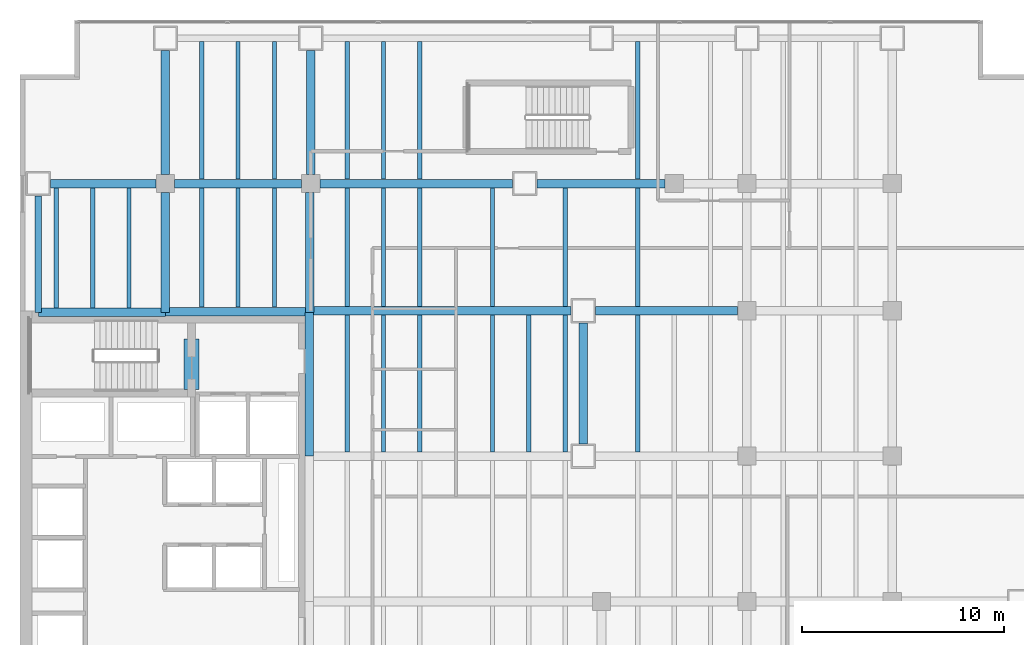
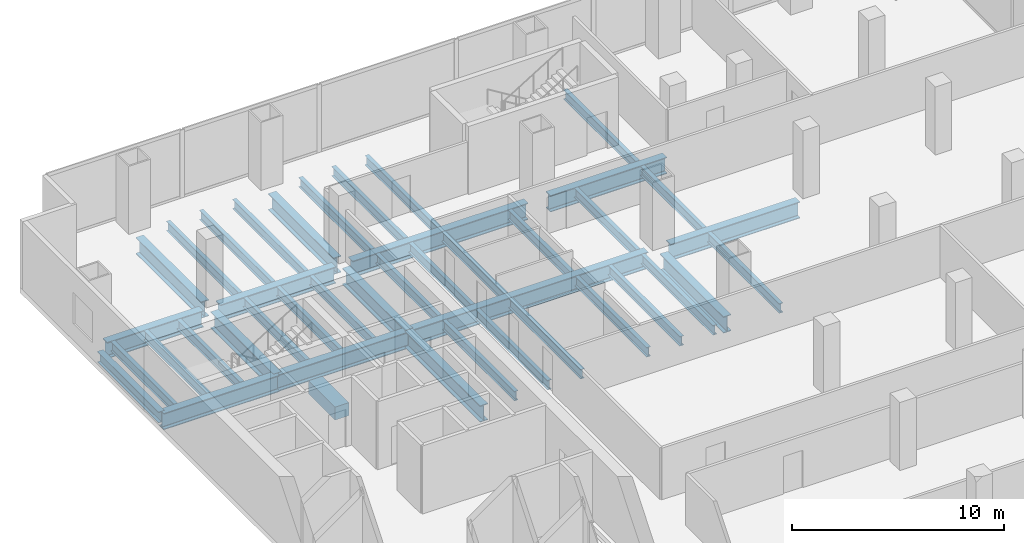
# One storey, part 10 of 29: 42 beams.
"""IFC4 building model written with IfcOpenShell, lengths in metres."""

from ifc_helpers import new_model, si_unit, direction, frame, origin, origin_2d, place, context, subcontext, project, spatial, rectangle, i_section, extrude, material, material_profile, profile_set, type_object, element, save


model = new_model("IFC4")

# Units and contexts
model_context = context("Model", 3, precision=1e-05, world=origin(), true_north=direction((0.0, 1.0)))
body_context = subcontext(model_context, "Body", "Model", "MODEL_VIEW")
ifc_project = project(units=[si_unit("LENGTHUNIT", "METRE"), si_unit("AREAUNIT", "SQUARE_METRE"), si_unit("VOLUMEUNIT", "CUBIC_METRE"), si_unit("PLANEANGLEUNIT", "RADIAN"), si_unit("MASSUNIT", "GRAM", prefix="KILO")], contexts=[model_context])

# Site, building, storey
site_placement = place(None, origin())
site = spatial("IfcSite", under=ifc_project, at=site_placement, CompositionType="ELEMENT")
building_placement = place(site_placement, origin())
building = spatial("IfcBuilding", under=site, at=building_placement, Name="Cobrela Telecom Tower", CompositionType="ELEMENT")
storey_placement = place(building_placement, frame((0.0, 0.0, 13.64990234375)))
storey = spatial("IfcBuildingStorey", under=building, at=storey_placement, Name="L03", CompositionType="ELEMENT", Elevation=13.64990234375)

# Beams
ifc_material_1 = material(Name="Concrete C40/50", Category="concrete")
ifc_material_profile_1 = material_profile(ifc_material_1, rectangle(XDim=0.75, YDim=0.75, at=origin_2d()), Name="RC 750x750")
ifc_profile_set_1 = profile_set([ifc_material_profile_1], Name="Concrete C40/50")
beam_type_1 = type_object("IfcBeamType", Name="BM-COUP-RC", PredefinedType="LINTEL", material=ifc_profile_set_1)
beam_1_placement = place(storey_placement, frame((8.5, 32.10009765625, -0.64990234375), z_axis=(0.0, 1.0, 0.0), x_axis=(-1.0, 0.0, 0.0)))
element("IfcBeam", 1, at=beam_1_placement, inside=storey, type_object=beam_type_1, Name="L03 Core Coupling Lintel Beam", PredefinedType="LINTEL", context=body_context, shape_type="SweptSolid", body=[
    extrude(rectangle(XDim=0.75, YDim=0.75, at=origin_2d()), origin(), (0.0, 0.0, 1.0), 2.5),
])
ifc_material_2 = material(Name="Steel ASTM A992 Grade 50", Category="steel")
ifc_material_profile_2 = material_profile(ifc_material_2, i_section(OverallWidth=0.424072265625, OverallDepth=0.947021484375, WebThickness=0.02392578125, FlangeThickness=0.042724609375, FilletRadius=0.02392578125, at=origin_2d()), Name="W36X302")
ifc_profile_set_2 = profile_set([ifc_material_profile_2], Name="Steel ASTM A992 Grade 50")
beam_type_2 = type_object("IfcBeamType", Name="BM-GIRD-01", PredefinedType="USERDEFINED", material=ifc_profile_set_2)
beam_2_placement = place(storey_placement, frame((0.905029296875, 35.919921875, -0.7734375), z_axis=(1.0, 0.0, 0.0), x_axis=(0.0, 1.0, 0.0)))
element("IfcBeam", 2, at=beam_2_placement, inside=storey, type_object=beam_type_2, Name="L03 Primary Girder X41", ObjectType="GIRDER", PredefinedType="USERDEFINED", context=body_context, shape_type="SweptSolid", body=[
    extrude(i_section(OverallWidth=0.424072265625, OverallDepth=0.947021484375, WebThickness=0.02392578125, FlangeThickness=0.042724609375, FilletRadius=0.02392578125, at=origin_2d()), origin(), (0.0, 0.0, 1.0), 6.2900390625),
])
beam_3_placement = place(storey_placement, frame((7.205078125, 35.9599609375, -0.7734375), z_axis=(1.0, 0.0, 0.0), x_axis=(0.0, 1.0, 0.0)))
element("IfcBeam", 3, at=beam_3_placement, inside=storey, type_object=beam_type_2, Name="L03 Primary Girder X42", ObjectType="GIRDER", PredefinedType="USERDEFINED", context=body_context, shape_type="SweptSolid", body=[
    extrude(i_section(OverallWidth=0.424072265625, OverallDepth=0.947021484375, WebThickness=0.02392578125, FlangeThickness=0.042724609375, FilletRadius=0.02392578125, at=origin_2d()), origin(), (0.0, 0.0, 1.0), 7.10986328125),
])
beam_4_placement = place(storey_placement, frame((14.324951171875, 36.0, -0.7734375), z_axis=(1.0, 0.0, 0.0), x_axis=(0.0, 1.0, 0.0)))
element("IfcBeam", 4, at=beam_4_placement, inside=storey, type_object=beam_type_2, Name="L03 Primary Girder X43", ObjectType="GIRDER", PredefinedType="USERDEFINED", context=body_context, shape_type="SweptSolid", body=[
    extrude(i_section(OverallWidth=0.424072265625, OverallDepth=0.947021484375, WebThickness=0.02392578125, FlangeThickness=0.042724609375, FilletRadius=0.02392578125, at=origin_2d()), origin(), (0.0, 0.0, 1.0), 12.969970703125),
])
beam_5_placement = place(storey_placement, frame((28.5048828125, 36.0, -0.7734375), z_axis=(1.0, 0.0, 0.0), x_axis=(0.0, 1.0, 0.0)))
element("IfcBeam", 5, at=beam_5_placement, inside=storey, type_object=beam_type_2, Name="L03 Primary Girder X44", ObjectType="GIRDER", PredefinedType="USERDEFINED", context=body_context, shape_type="SweptSolid", body=[
    extrude(i_section(OverallWidth=0.424072265625, OverallDepth=0.947021484375, WebThickness=0.02392578125, FlangeThickness=0.042724609375, FilletRadius=0.02392578125, at=origin_2d()), origin(), (0.0, 0.0, 1.0), 7.0400390625),
])
beam_6_placement = place(storey_placement, frame((1.5048828125, 42.300048828125, -0.7734375), z_axis=(1.0, 0.0, 0.0), x_axis=(0.0, 1.0, 0.0)))
element("IfcBeam", 6, at=beam_6_placement, inside=storey, type_object=beam_type_2, Name="L03 Primary Girder X46", ObjectType="GIRDER", PredefinedType="USERDEFINED", context=body_context, shape_type="SweptSolid", body=[
    extrude(i_section(OverallWidth=0.424072265625, OverallDepth=0.947021484375, WebThickness=0.02392578125, FlangeThickness=0.042724609375, FilletRadius=0.02392578125, at=origin_2d()), origin(), (0.0, 0.0, 1.0), 5.240234375),
])
beam_7_placement = place(storey_placement, frame((7.655029296875, 42.300048828125, -0.7734375), z_axis=(1.0, 0.0, 0.0), x_axis=(0.0, 1.0, 0.0)))
element("IfcBeam", 7, at=beam_7_placement, inside=storey, type_object=beam_type_2, Name="L03 Primary Girder X47", ObjectType="GIRDER", PredefinedType="USERDEFINED", context=body_context, shape_type="SweptSolid", body=[
    extrude(i_section(OverallWidth=0.424072265625, OverallDepth=0.947021484375, WebThickness=0.02392578125, FlangeThickness=0.042724609375, FilletRadius=0.02392578125, at=origin_2d()), origin(), (0.0, 0.0, 1.0), 6.2900390625),
])
beam_8_placement = place(storey_placement, frame((14.85498046875, 42.300048828125, -0.7734375), z_axis=(1.0, 0.0, 0.0), x_axis=(0.0, 1.0, 0.0)))
element("IfcBeam", 8, at=beam_8_placement, inside=storey, type_object=beam_type_2, Name="L03 Primary Girder X48", ObjectType="GIRDER", PredefinedType="USERDEFINED", context=body_context, shape_type="SweptSolid", body=[
    extrude(i_section(OverallWidth=0.424072265625, OverallDepth=0.947021484375, WebThickness=0.02392578125, FlangeThickness=0.042724609375, FilletRadius=0.02392578125, at=origin_2d()), origin(), (0.0, 0.0, 1.0), 9.5400390625),
])
beam_9_placement = place(storey_placement, frame((25.60498046875, 42.300048828125, -0.7734375), z_axis=(1.0, 0.0, 0.0), x_axis=(0.0, 1.0, 0.0)))
element("IfcBeam", 9, at=beam_9_placement, inside=storey, type_object=beam_type_2, Name="L03 Primary Girder X49", ObjectType="GIRDER", PredefinedType="USERDEFINED", context=body_context, shape_type="SweptSolid", body=[
    extrude(i_section(OverallWidth=0.424072265625, OverallDepth=0.947021484375, WebThickness=0.02392578125, FlangeThickness=0.042724609375, FilletRadius=0.02392578125, at=origin_2d()), origin(), (0.0, 0.0, 1.0), 6.340087890625),
])
beam_10_placement = place(storey_placement, frame((7.199951171875, 35.925048828125, -0.7734375), z_axis=(0.0, 1.0, 0.0), x_axis=(-1.0, 0.0, 0.0)))
element("IfcBeam", 10, at=beam_10_placement, inside=storey, type_object=beam_type_2, Name="L03 Primary Girder Y58", ObjectType="GIRDER", PredefinedType="USERDEFINED", context=body_context, shape_type="SweptSolid", body=[
    extrude(i_section(OverallWidth=0.424072265625, OverallDepth=0.947021484375, WebThickness=0.02392578125, FlangeThickness=0.042724609375, FilletRadius=0.02392578125, at=origin_2d()), origin(), (0.0, 0.0, 1.0), 5.919921875),
])
beam_11_placement = place(storey_placement, frame((7.199951171875, 42.7548828125, -0.7734375), z_axis=(0.0, 1.0, 0.0), x_axis=(-1.0, 0.0, 0.0)))
element("IfcBeam", 11, at=beam_11_placement, inside=storey, type_object=beam_type_2, Name="L03 Primary Girder Y59", ObjectType="GIRDER", PredefinedType="USERDEFINED", context=body_context, shape_type="SweptSolid", body=[
    extrude(i_section(OverallWidth=0.424072265625, OverallDepth=0.947021484375, WebThickness=0.02392578125, FlangeThickness=0.042724609375, FilletRadius=0.02392578125, at=origin_2d()), origin(), (0.0, 0.0, 1.0), 6.14013671875),
])
beam_12_placement = place(storey_placement, frame((14.320068359375, 28.804931640625, -0.7734375), z_axis=(0.0, 1.0, 0.0), x_axis=(-1.0, 0.0, 0.0)))
element("IfcBeam", 12, at=beam_12_placement, inside=storey, type_object=beam_type_2, Name="L03 Primary Girder Y64", ObjectType="GIRDER", PredefinedType="USERDEFINED", context=body_context, shape_type="SweptSolid", body=[
    extrude(i_section(OverallWidth=0.424072265625, OverallDepth=0.947021484375, WebThickness=0.02392578125, FlangeThickness=0.042724609375, FilletRadius=0.02392578125, at=origin_2d()), origin(), (0.0, 0.0, 1.0), 7.110107421875),
])
beam_13_placement = place(storey_placement, frame((14.360107421875, 35.925048828125, -0.7734375), z_axis=(0.0, 1.0, 0.0), x_axis=(-1.0, 0.0, 0.0)))
element("IfcBeam", 13, at=beam_13_placement, inside=storey, type_object=beam_type_2, Name="L03 Primary Girder Y65", ObjectType="GIRDER", PredefinedType="USERDEFINED", context=body_context, shape_type="SweptSolid", body=[
    extrude(i_section(OverallWidth=0.424072265625, OverallDepth=0.947021484375, WebThickness=0.02392578125, FlangeThickness=0.042724609375, FilletRadius=0.02392578125, at=origin_2d()), origin(), (0.0, 0.0, 1.0), 5.919921875),
])
beam_14_placement = place(storey_placement, frame((14.39990234375, 42.7548828125, -0.7734375), z_axis=(0.0, 1.0, 0.0), x_axis=(-1.0, 0.0, 0.0)))
element("IfcBeam", 14, at=beam_14_placement, inside=storey, type_object=beam_type_2, Name="L03 Primary Girder Y66", ObjectType="GIRDER", PredefinedType="USERDEFINED", context=body_context, shape_type="SweptSolid", body=[
    extrude(i_section(OverallWidth=0.424072265625, OverallDepth=0.947021484375, WebThickness=0.02392578125, FlangeThickness=0.042724609375, FilletRadius=0.02392578125, at=origin_2d()), origin(), (0.0, 0.0, 1.0), 6.14013671875),
])
beam_15_placement = place(storey_placement, frame((27.89990234375, 29.405029296875, -0.7734375), z_axis=(0.0, 1.0, 0.0), x_axis=(-1.0, 0.0, 0.0)))
element("IfcBeam", 15, at=beam_15_placement, inside=storey, type_object=beam_type_2, Name="L03 Primary Girder Y67", ObjectType="GIRDER", PredefinedType="USERDEFINED", context=body_context, shape_type="SweptSolid", body=[
    extrude(i_section(OverallWidth=0.424072265625, OverallDepth=0.947021484375, WebThickness=0.02392578125, FlangeThickness=0.042724609375, FilletRadius=0.02392578125, at=origin_2d()), origin(), (0.0, 0.0, 1.0), 5.989990234375),
])
ifc_material_profile_3 = material_profile(ifc_material_2, i_section(OverallWidth=0.212890625, OverallDepth=0.549072265625, WebThickness=0.0146484375, FlangeThickness=0.023681640625, FilletRadius=0.013916015625, at=origin_2d()), Name="W21X93")
ifc_profile_set_3 = profile_set([ifc_material_profile_3], Name="Steel ASTM A992 Grade 50")
beam_type_3 = type_object("IfcBeamType", Name="BM-JOIST-01", PredefinedType="JOIST", material=ifc_profile_set_3)
for number, where, z_axis, x_axis, name in (
    (16, (1.800048828125, 36.136962890625, -0.574462890625), (0.0, 1.0, 0.0), (-1.0, 0.0, 0.0), "L03 Secondary Composite Floor Beam J01"),
    (17, (3.60009765625, 36.136962890625, -0.574462890625), (0.0, 1.0, 0.0), (-1.0, 0.0, 0.0), "L03 Secondary Composite Floor Beam J02"),
    (18, (5.39990234375, 36.136962890625, -0.574462890625), (0.0, 1.0, 0.0), (-1.0, 0.0, 0.0), "L03 Secondary Composite Floor Beam J03"),
):
    element("IfcBeam", number, at=place(storey_placement, frame(where, z_axis=z_axis, x_axis=x_axis)), inside=storey, type_object=beam_type_3, Name=name, PredefinedType="JOIST", context=body_context, shape_type="SweptSolid", body=[
        extrude(i_section(OverallWidth=0.212890625, OverallDepth=0.549072265625, WebThickness=0.0146484375, FlangeThickness=0.023681640625, FilletRadius=0.013916015625, at=origin_2d()), origin(), (0.0, 0.0, 1.0), 5.946044921875),
    ])
beam_16_placement = place(storey_placement, frame((9.0, 36.177001953125, -0.574462890625), z_axis=(0.0, 1.0, 0.0), x_axis=(-1.0, 0.0, 0.0)))
element("IfcBeam", 19, at=beam_16_placement, inside=storey, type_object=beam_type_3, Name="L03 Secondary Composite Floor Beam J05", PredefinedType="JOIST", context=body_context, shape_type="SweptSolid", body=[
    extrude(i_section(OverallWidth=0.212890625, OverallDepth=0.549072265625, WebThickness=0.0146484375, FlangeThickness=0.023681640625, FilletRadius=0.013916015625, at=origin_2d()), origin(), (0.0, 0.0, 1.0), 5.906005859375),
])
beam_17_placement = place(storey_placement, frame((9.0, 42.51708984375, -0.574462890625), z_axis=(0.0, 1.0, 0.0), x_axis=(-1.0, 0.0, 0.0)))
element("IfcBeam", 20, at=beam_17_placement, inside=storey, type_object=beam_type_3, Name="L03 Secondary Composite Floor Beam J06", PredefinedType="JOIST", context=body_context, shape_type="SweptSolid", body=[
    extrude(i_section(OverallWidth=0.212890625, OverallDepth=0.549072265625, WebThickness=0.0146484375, FlangeThickness=0.023681640625, FilletRadius=0.013916015625, at=origin_2d()), origin(), (0.0, 0.0, 1.0), 6.81396484375),
])
beam_18_placement = place(storey_placement, frame((10.800048828125, 36.177001953125, -0.574462890625), z_axis=(0.0, 1.0, 0.0), x_axis=(-1.0, 0.0, 0.0)))
element("IfcBeam", 21, at=beam_18_placement, inside=storey, type_object=beam_type_3, Name="L03 Secondary Composite Floor Beam J08", PredefinedType="JOIST", context=body_context, shape_type="SweptSolid", body=[
    extrude(i_section(OverallWidth=0.212890625, OverallDepth=0.549072265625, WebThickness=0.0146484375, FlangeThickness=0.023681640625, FilletRadius=0.013916015625, at=origin_2d()), origin(), (0.0, 0.0, 1.0), 5.906005859375),
])
beam_19_placement = place(storey_placement, frame((10.800048828125, 42.51708984375, -0.574462890625), z_axis=(0.0, 1.0, 0.0), x_axis=(-1.0, 0.0, 0.0)))
element("IfcBeam", 22, at=beam_19_placement, inside=storey, type_object=beam_type_3, Name="L03 Secondary Composite Floor Beam J09", PredefinedType="JOIST", context=body_context, shape_type="SweptSolid", body=[
    extrude(i_section(OverallWidth=0.212890625, OverallDepth=0.549072265625, WebThickness=0.0146484375, FlangeThickness=0.023681640625, FilletRadius=0.013916015625, at=origin_2d()), origin(), (0.0, 0.0, 1.0), 6.81396484375),
])
beam_20_placement = place(storey_placement, frame((12.60009765625, 36.177001953125, -0.574462890625), z_axis=(0.0, 1.0, 0.0), x_axis=(-1.0, 0.0, 0.0)))
element("IfcBeam", 23, at=beam_20_placement, inside=storey, type_object=beam_type_3, Name="L03 Secondary Composite Floor Beam J11", PredefinedType="JOIST", context=body_context, shape_type="SweptSolid", body=[
    extrude(i_section(OverallWidth=0.212890625, OverallDepth=0.549072265625, WebThickness=0.0146484375, FlangeThickness=0.023681640625, FilletRadius=0.013916015625, at=origin_2d()), origin(), (0.0, 0.0, 1.0), 5.906005859375),
])
beam_21_placement = place(storey_placement, frame((12.60009765625, 42.51708984375, -0.574462890625), z_axis=(0.0, 1.0, 0.0), x_axis=(-1.0, 0.0, 0.0)))
element("IfcBeam", 24, at=beam_21_placement, inside=storey, type_object=beam_type_3, Name="L03 Secondary Composite Floor Beam J12", PredefinedType="JOIST", context=body_context, shape_type="SweptSolid", body=[
    extrude(i_section(OverallWidth=0.212890625, OverallDepth=0.549072265625, WebThickness=0.0146484375, FlangeThickness=0.023681640625, FilletRadius=0.013916015625, at=origin_2d()), origin(), (0.0, 0.0, 1.0), 6.81396484375),
])
beam_22_placement = place(storey_placement, frame((16.199951171875, 29.01708984375, -0.574462890625), z_axis=(0.0, 1.0, 0.0), x_axis=(-1.0, 0.0, 0.0)))
element("IfcBeam", 25, at=beam_22_placement, inside=storey, type_object=beam_type_3, Name="L03 Secondary Composite Floor Beam J17", PredefinedType="JOIST", context=body_context, shape_type="SweptSolid", body=[
    extrude(i_section(OverallWidth=0.212890625, OverallDepth=0.549072265625, WebThickness=0.0146484375, FlangeThickness=0.023681640625, FilletRadius=0.013916015625, at=origin_2d()), origin(), (0.0, 0.0, 1.0), 6.765869140625),
])
beam_23_placement = place(storey_placement, frame((16.199951171875, 36.217041015625, -0.574462890625), z_axis=(0.0, 1.0, 0.0), x_axis=(-1.0, 0.0, 0.0)))
element("IfcBeam", 26, at=beam_23_placement, inside=storey, type_object=beam_type_3, Name="L03 Secondary Composite Floor Beam J18", PredefinedType="JOIST", context=body_context, shape_type="SweptSolid", body=[
    extrude(i_section(OverallWidth=0.212890625, OverallDepth=0.549072265625, WebThickness=0.0146484375, FlangeThickness=0.023681640625, FilletRadius=0.013916015625, at=origin_2d()), origin(), (0.0, 0.0, 1.0), 5.865966796875),
])
beam_24_placement = place(storey_placement, frame((16.199951171875, 42.51708984375, -0.574462890625), z_axis=(0.0, 1.0, 0.0), x_axis=(-1.0, 0.0, 0.0)))
element("IfcBeam", 27, at=beam_24_placement, inside=storey, type_object=beam_type_3, Name="L03 Secondary Composite Floor Beam J19", PredefinedType="JOIST", context=body_context, shape_type="SweptSolid", body=[
    extrude(i_section(OverallWidth=0.212890625, OverallDepth=0.549072265625, WebThickness=0.0146484375, FlangeThickness=0.023681640625, FilletRadius=0.013916015625, at=origin_2d()), origin(), (0.0, 0.0, 1.0), 6.81396484375),
])
beam_25_placement = place(storey_placement, frame((18.0, 29.01708984375, -0.574462890625), z_axis=(0.0, 1.0, 0.0), x_axis=(-1.0, 0.0, 0.0)))
element("IfcBeam", 28, at=beam_25_placement, inside=storey, type_object=beam_type_3, Name="L03 Secondary Composite Floor Beam J24", PredefinedType="JOIST", context=body_context, shape_type="SweptSolid", body=[
    extrude(i_section(OverallWidth=0.212890625, OverallDepth=0.549072265625, WebThickness=0.0146484375, FlangeThickness=0.023681640625, FilletRadius=0.013916015625, at=origin_2d()), origin(), (0.0, 0.0, 1.0), 6.765869140625),
])
beam_26_placement = place(storey_placement, frame((18.0, 36.217041015625, -0.574462890625), z_axis=(0.0, 1.0, 0.0), x_axis=(-1.0, 0.0, 0.0)))
element("IfcBeam", 29, at=beam_26_placement, inside=storey, type_object=beam_type_3, Name="L03 Secondary Composite Floor Beam J25", PredefinedType="JOIST", context=body_context, shape_type="SweptSolid", body=[
    extrude(i_section(OverallWidth=0.212890625, OverallDepth=0.549072265625, WebThickness=0.0146484375, FlangeThickness=0.023681640625, FilletRadius=0.013916015625, at=origin_2d()), origin(), (0.0, 0.0, 1.0), 5.865966796875),
])
beam_27_placement = place(storey_placement, frame((18.0, 42.51708984375, -0.574462890625), z_axis=(0.0, 1.0, 0.0), x_axis=(-1.0, 0.0, 0.0)))
element("IfcBeam", 30, at=beam_27_placement, inside=storey, type_object=beam_type_3, Name="L03 Secondary Composite Floor Beam J26", PredefinedType="JOIST", context=body_context, shape_type="SweptSolid", body=[
    extrude(i_section(OverallWidth=0.212890625, OverallDepth=0.549072265625, WebThickness=0.0146484375, FlangeThickness=0.023681640625, FilletRadius=0.013916015625, at=origin_2d()), origin(), (0.0, 0.0, 1.0), 6.81396484375),
])
beam_28_placement = place(storey_placement, frame((19.800048828125, 29.01708984375, -0.574462890625), z_axis=(0.0, 1.0, 0.0), x_axis=(-1.0, 0.0, 0.0)))
element("IfcBeam", 31, at=beam_28_placement, inside=storey, type_object=beam_type_3, Name="L03 Secondary Composite Floor Beam J31", PredefinedType="JOIST", context=body_context, shape_type="SweptSolid", body=[
    extrude(i_section(OverallWidth=0.212890625, OverallDepth=0.549072265625, WebThickness=0.0146484375, FlangeThickness=0.023681640625, FilletRadius=0.013916015625, at=origin_2d()), origin(), (0.0, 0.0, 1.0), 6.765869140625),
])
beam_29_placement = place(storey_placement, frame((19.800048828125, 36.217041015625, -0.574462890625), z_axis=(0.0, 1.0, 0.0), x_axis=(-1.0, 0.0, 0.0)))
element("IfcBeam", 32, at=beam_29_placement, inside=storey, type_object=beam_type_3, Name="L03 Secondary Composite Floor Beam J32", PredefinedType="JOIST", context=body_context, shape_type="SweptSolid", body=[
    extrude(i_section(OverallWidth=0.212890625, OverallDepth=0.549072265625, WebThickness=0.0146484375, FlangeThickness=0.023681640625, FilletRadius=0.013916015625, at=origin_2d()), origin(), (0.0, 0.0, 1.0), 5.865966796875),
])
beam_30_placement = place(storey_placement, frame((19.800048828125, 42.51708984375, -0.574462890625), z_axis=(0.0, 1.0, 0.0), x_axis=(-1.0, 0.0, 0.0)))
element("IfcBeam", 33, at=beam_30_placement, inside=storey, type_object=beam_type_3, Name="L03 Secondary Composite Floor Beam J33", PredefinedType="JOIST", context=body_context, shape_type="SweptSolid", body=[
    extrude(i_section(OverallWidth=0.212890625, OverallDepth=0.549072265625, WebThickness=0.0146484375, FlangeThickness=0.023681640625, FilletRadius=0.013916015625, at=origin_2d()), origin(), (0.0, 0.0, 1.0), 6.81396484375),
])
beam_31_placement = place(storey_placement, frame((23.39990234375, 29.01708984375, -0.574462890625), z_axis=(0.0, 1.0, 0.0), x_axis=(-1.0, 0.0, 0.0)))
element("IfcBeam", 34, at=beam_31_placement, inside=storey, type_object=beam_type_3, Name="L03 Secondary Composite Floor Beam J38", PredefinedType="JOIST", context=body_context, shape_type="SweptSolid", body=[
    extrude(i_section(OverallWidth=0.212890625, OverallDepth=0.549072265625, WebThickness=0.0146484375, FlangeThickness=0.023681640625, FilletRadius=0.013916015625, at=origin_2d()), origin(), (0.0, 0.0, 1.0), 6.765869140625),
])
beam_32_placement = place(storey_placement, frame((23.39990234375, 36.217041015625, -0.574462890625), z_axis=(0.0, 1.0, 0.0), x_axis=(-1.0, 0.0, 0.0)))
element("IfcBeam", 35, at=beam_32_placement, inside=storey, type_object=beam_type_3, Name="L03 Secondary Composite Floor Beam J39", PredefinedType="JOIST", context=body_context, shape_type="SweptSolid", body=[
    extrude(i_section(OverallWidth=0.212890625, OverallDepth=0.549072265625, WebThickness=0.0146484375, FlangeThickness=0.023681640625, FilletRadius=0.013916015625, at=origin_2d()), origin(), (0.0, 0.0, 1.0), 5.865966796875),
])
for number, where, z_axis, x_axis, name in (
    (36, (25.199951171875, 29.01708984375, -0.574462890625), (0.0, 1.0, 0.0), (-1.0, 0.0, 0.0), "L03 Secondary Composite Floor Beam J44"),
    (37, (27.0, 29.01708984375, -0.574462890625), (0.0, 1.0, 0.0), (-1.0, 0.0, 0.0), "L03 Secondary Composite Floor Beam J49"),
):
    element("IfcBeam", number, at=place(storey_placement, frame(where, z_axis=z_axis, x_axis=x_axis)), inside=storey, type_object=beam_type_3, Name=name, PredefinedType="JOIST", context=body_context, shape_type="SweptSolid", body=[
        extrude(i_section(OverallWidth=0.212890625, OverallDepth=0.549072265625, WebThickness=0.0146484375, FlangeThickness=0.023681640625, FilletRadius=0.013916015625, at=origin_2d()), origin(), (0.0, 0.0, 1.0), 6.765869140625),
    ])
beam_33_placement = place(storey_placement, frame((27.0, 36.217041015625, -0.574462890625), z_axis=(0.0, 1.0, 0.0), x_axis=(-1.0, 0.0, 0.0)))
element("IfcBeam", 38, at=beam_33_placement, inside=storey, type_object=beam_type_3, Name="L03 Secondary Composite Floor Beam J50", PredefinedType="JOIST", context=body_context, shape_type="SweptSolid", body=[
    extrude(i_section(OverallWidth=0.212890625, OverallDepth=0.549072265625, WebThickness=0.0146484375, FlangeThickness=0.023681640625, FilletRadius=0.013916015625, at=origin_2d()), origin(), (0.0, 0.0, 1.0), 5.865966796875),
])
beam_34_placement = place(storey_placement, frame((30.60009765625, 29.01708984375, -0.574462890625), z_axis=(0.0, 1.0, 0.0), x_axis=(-1.0, 0.0, 0.0)))
element("IfcBeam", 39, at=beam_34_placement, inside=storey, type_object=beam_type_3, Name="L03 Secondary Composite Floor Beam J55", PredefinedType="JOIST", context=body_context, shape_type="SweptSolid", body=[
    extrude(i_section(OverallWidth=0.212890625, OverallDepth=0.549072265625, WebThickness=0.0146484375, FlangeThickness=0.023681640625, FilletRadius=0.013916015625, at=origin_2d()), origin(), (0.0, 0.0, 1.0), 6.765869140625),
])
beam_35_placement = place(storey_placement, frame((30.60009765625, 36.217041015625, -0.574462890625), z_axis=(0.0, 1.0, 0.0), x_axis=(-1.0, 0.0, 0.0)))
element("IfcBeam", 40, at=beam_35_placement, inside=storey, type_object=beam_type_3, Name="L03 Secondary Composite Floor Beam J56", PredefinedType="JOIST", context=body_context, shape_type="SweptSolid", body=[
    extrude(i_section(OverallWidth=0.212890625, OverallDepth=0.549072265625, WebThickness=0.0146484375, FlangeThickness=0.023681640625, FilletRadius=0.013916015625, at=origin_2d()), origin(), (0.0, 0.0, 1.0), 5.865966796875),
])
beam_36_placement = place(storey_placement, frame((30.60009765625, 42.51708984375, -0.574462890625), z_axis=(0.0, 1.0, 0.0), x_axis=(-1.0, 0.0, 0.0)))
element("IfcBeam", 41, at=beam_36_placement, inside=storey, type_object=beam_type_3, Name="L03 Secondary Composite Floor Beam J57", PredefinedType="JOIST", context=body_context, shape_type="SweptSolid", body=[
    extrude(i_section(OverallWidth=0.212890625, OverallDepth=0.549072265625, WebThickness=0.0146484375, FlangeThickness=0.023681640625, FilletRadius=0.013916015625, at=origin_2d()), origin(), (0.0, 0.0, 1.0), 6.81396484375),
])
ifc_material_profile_4 = material_profile(ifc_material_2, i_section(OverallWidth=0.327880859375, OverallDepth=0.6220703125, WebThickness=0.015380859375, FlangeThickness=0.0244140625, FilletRadius=0.014892578125, at=origin_2d()), Name="W24X131")
ifc_profile_set_4 = profile_set([ifc_material_profile_4], Name="Steel ASTM A992 Grade 50")
beam_type_4 = type_object("IfcBeamType", Name="BM-SPAND-01", PredefinedType="SPANDREL", material=ifc_profile_set_4)
beam_37_placement = place(storey_placement, frame((0.89990234375, 35.925048828125, -0.61083984375), z_axis=(0.0, 1.0, 0.0), x_axis=(-1.0, 0.0, 0.0)))
element("IfcBeam", 42, at=beam_37_placement, inside=storey, type_object=beam_type_4, Name="L03 Perimeter Spandrel Y56", PredefinedType="SPANDREL", context=body_context, shape_type="SweptSolid", body=[
    extrude(i_section(OverallWidth=0.327880859375, OverallDepth=0.6220703125, WebThickness=0.015380859375, FlangeThickness=0.0244140625, FilletRadius=0.014892578125, at=origin_2d()), origin(), (0.0, 0.0, 1.0), 5.77001953125),
])

save(model, "model.ifc")
